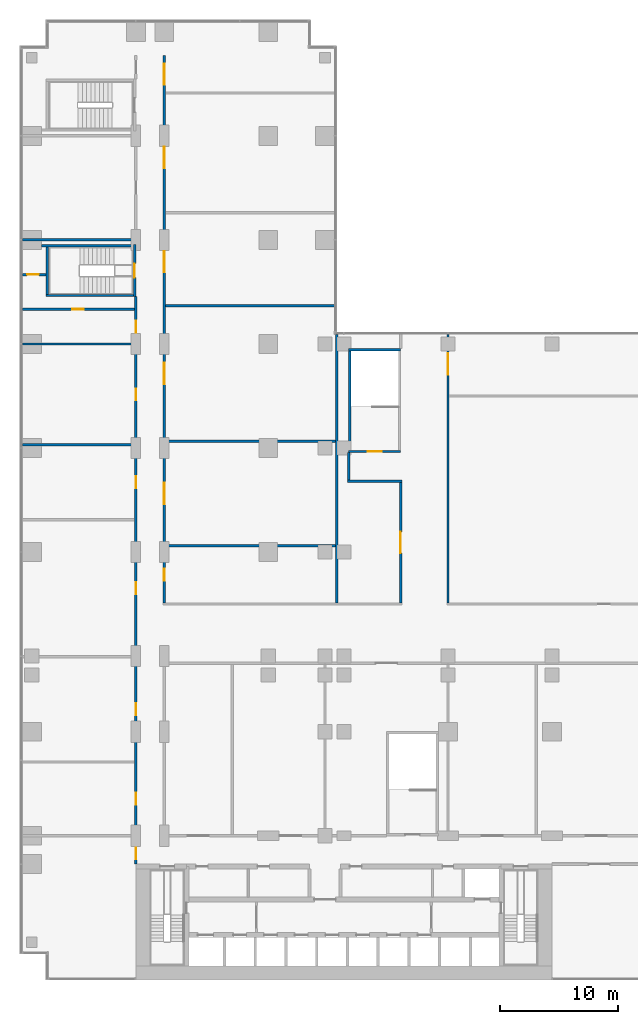
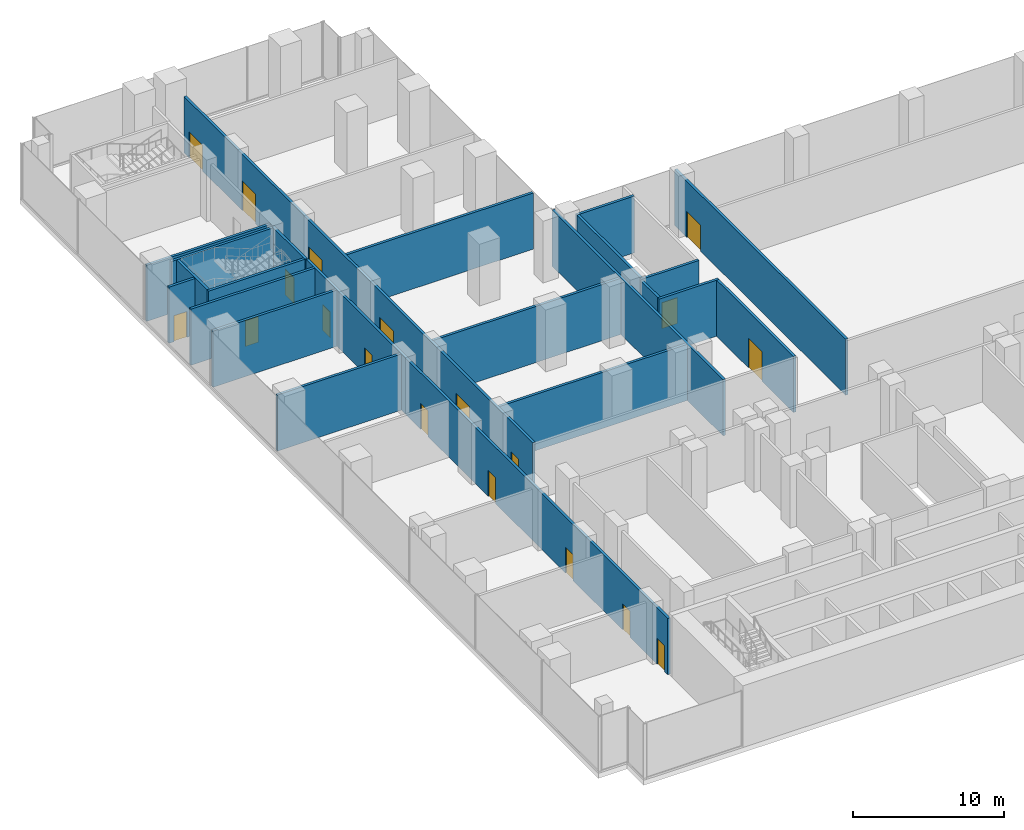
# One storey, part 20 of 27: 22 walls, 19 doors, 19 openings.
"""IFC4 building model written with IfcOpenShell, lengths in metres."""

from ifc_helpers import new_model, si_unit, direction, frame, frame_2d, origin, place, context, subcontext, project, spatial, rectangle, extrude, material, layer, layer_set, type_object, element, fill, save


model = new_model("IFC4")

# Units and contexts
model_context = context("Model", 3, precision=1e-05, world=origin(), true_north=direction((0.0, 1.0)))
body_context = subcontext(model_context, "Body", "Model", "MODEL_VIEW")
ifc_project = project(units=[si_unit("LENGTHUNIT", "METRE"), si_unit("AREAUNIT", "SQUARE_METRE"), si_unit("VOLUMEUNIT", "CUBIC_METRE"), si_unit("PLANEANGLEUNIT", "RADIAN"), si_unit("MASSUNIT", "GRAM", prefix="KILO")], contexts=[model_context])

# Site, building, storey
site_placement = place(None, origin())
site = spatial("IfcSite", under=ifc_project, at=site_placement, CompositionType="ELEMENT")
building_placement = place(site_placement, origin())
building = spatial("IfcBuilding", under=site, at=building_placement, Name="Kemantara Hotel Tower", CompositionType="ELEMENT")
storey_placement = place(building_placement, frame((0.0, 0.0, 29.0)))
storey = spatial("IfcBuildingStorey", under=building, at=storey_placement, Name="L05", CompositionType="ELEMENT", Elevation=29.0)

# Wall, opening, door
ifc_material_1 = material(Name="Concrete fc 40 MPa", Category="concrete")
ifc_layer_1 = layer(ifc_material_1, 0.199951171875)
ifc_layer_set_1 = layer_set([ifc_layer_1], Name="Concrete fc 40 MPa")
wall_type_1 = type_object("IfcWallType", Name="Concrete stair wall 200 mm", PredefinedType="SHEAR", material=ifc_layer_set_1)
wall_1_placement = place(storey_placement, frame((9.699951171875, 57.800048828125, 0.0), z_axis=(0.0, 0.0, 1.0), x_axis=(0.0, 1.0, 0.0)))
wall_1 = element("IfcWall", 1, at=wall_1_placement, inside=storey, type_object=wall_type_1, Name="Stair ST4 enclosure wall with door", PredefinedType="SHEAR", context=body_context, shape_type="SweptSolid", body=[
    extrude(rectangle(XDim=4.39990234375, YDim=0.199951171875, at=frame_2d((2.199951171875, 0.0))), origin(), (0.0, 0.0, 1.0), 4.60009765625),
])
opening_1_placement = place(wall_1_placement, frame((1.60009765625, 0.0, 0.0)))
opening_1 = element("IfcOpeningElement", 2, at=opening_1_placement, cuts=wall_1, Name="Opening ST4-C", PredefinedType="OPENING", context=body_context, shape_type="SweptSolid", body=[
    extrude(rectangle(XDim=1.199951171875, YDim=2.10009765625, at=frame_2d((0.60009765625, 1.050048828125))), frame((0.0, 0.10986328125, 0.0), z_axis=(0.0, -1.0, 0.0), x_axis=(1.0, 0.0, 0.0)), (0.0, 0.0, 1.0), 0.219970703125),
])
ifc_material_2 = material(Name="Steel fire door", Category="steel")
door_type_1 = type_object("IfcDoorType", Name="Fire door FD90 1200 x 2100", OperationType="NOTDEFINED", PredefinedType="DOOR", material=ifc_material_2)
door_1_placement = place(opening_1_placement, origin())
door_1 = element("IfcDoor", 3, at=door_1_placement, inside=storey, type_object=door_type_1, Name="Stair ST4 door", OperationType="SINGLE_SWING_RIGHT", OverallHeight=2.10009765625, OverallWidth=1.199951171875, PredefinedType="DOOR", context=body_context, shape_type="SweptSolid", body=[
    extrude(rectangle(XDim=1.199951171875, YDim=2.10009765625, at=frame_2d((0.60009765625, 1.050048828125))), frame((0.0, 0.02490234375, 0.0), z_axis=(0.0, -1.0, 0.0), x_axis=(1.0, 0.0, 0.0)), (0.0, 0.0, 1.0), 0.050048828125),
])
fill(opening_1, door_1)

# Walls
wall_2_placement = place(storey_placement, frame((1.800048828125, 62.10009765625, 0.0), z_axis=(0.0, 0.0, 1.0), x_axis=(1.0, 0.0, 0.0)))
element("IfcWall", 4, at=wall_2_placement, inside=storey, type_object=wall_type_1, Name="Stair ST4 enclosure wall N", PredefinedType="SHEAR", context=body_context, shape_type="SweptSolid", body=[
    extrude(rectangle(XDim=7.800048828125, YDim=0.199951171875, at=frame_2d((3.89990234375, 0.0))), origin(), (0.0, 0.0, 1.0), 4.60009765625),
])
wall_3_placement = place(storey_placement, frame((2.199951171875, 57.89990234375, 0.0), z_axis=(0.0, 0.0, 1.0), x_axis=(1.0, 0.0, 0.0)))
element("IfcWall", 5, at=wall_3_placement, inside=storey, type_object=wall_type_1, Name="Stair ST4 enclosure wall S", PredefinedType="SHEAR", context=body_context, shape_type="SweptSolid", body=[
    extrude(rectangle(XDim=7.400146484375, YDim=0.199951171875, at=frame_2d((3.7001953125, 0.0))), origin(), (0.0, 0.0, 1.0), 4.60009765625),
])
wall_4_placement = place(storey_placement, frame((2.300048828125, 58.0, 0.0), z_axis=(0.0, 0.0, 1.0), x_axis=(0.0, 1.0, 0.0)))
element("IfcWall", 6, at=wall_4_placement, inside=storey, type_object=wall_type_1, Name="Stair ST4 enclosure wall W", PredefinedType="SHEAR", context=body_context, shape_type="SweptSolid", body=[
    extrude(rectangle(XDim=4.0, YDim=0.199951171875, at=frame_2d((2.0, 0.0))), origin(), (0.0, 0.0, 1.0), 4.60009765625),
])

# Wall, opening, door
wall_5_placement = place(storey_placement, frame((27.800048828125, 44.699951171875, 0.0), z_axis=(0.0, 0.0, 1.0), x_axis=(1.0, 0.0, 0.0)))
wall_5 = element("IfcWall", 7, at=wall_5_placement, inside=storey, type_object=wall_type_1, Name="Stair PS2 enclosure wall with door", PredefinedType="SHEAR", context=body_context, shape_type="SweptSolid", body=[
    extrude(rectangle(XDim=4.39990234375, YDim=0.199951171875, at=frame_2d((2.199951171875, 0.0))), origin(), (0.0, 0.0, 1.0), 4.60009765625),
])
opening_2_placement = place(wall_5_placement, frame((1.60009765625, 0.0, 0.0)))
opening_2 = element("IfcOpeningElement", 8, at=opening_2_placement, cuts=wall_5, Name="Opening PS2-C", PredefinedType="OPENING", context=body_context, shape_type="SweptSolid", body=[
    extrude(rectangle(XDim=1.199951171875, YDim=2.10009765625, at=frame_2d((0.60009765625, 1.050048828125))), frame((0.0, 0.10986328125, 0.0), z_axis=(0.0, -1.0, 0.0), x_axis=(1.0, 0.0, 0.0)), (0.0, 0.0, 1.0), 0.219970703125),
])
door_2_placement = place(opening_2_placement, origin())
door_2 = element("IfcDoor", 9, at=door_2_placement, inside=storey, type_object=door_type_1, Name="Stair PS2 door", OperationType="SINGLE_SWING_LEFT", OverallHeight=2.10009765625, OverallWidth=1.199951171875, PredefinedType="DOOR", context=body_context, shape_type="SweptSolid", body=[
    extrude(rectangle(XDim=1.199951171875, YDim=2.10009765625, at=frame_2d((0.60009765625, 1.050048828125))), frame((0.0, 0.02490234375, 0.0), z_axis=(0.0, -1.0, 0.0), x_axis=(1.0, 0.0, 0.0)), (0.0, 0.0, 1.0), 0.050048828125),
])
fill(opening_2, door_2)

# Walls
wall_6_placement = place(storey_placement, frame((27.800048828125, 53.300048828125, 0.0), z_axis=(0.0, 0.0, 1.0), x_axis=(1.0, 0.0, 0.0)))
element("IfcWall", 10, at=wall_6_placement, inside=storey, type_object=wall_type_1, Name="Stair PS2 enclosure wall N", PredefinedType="SHEAR", context=body_context, shape_type="SweptSolid", body=[
    extrude(rectangle(XDim=4.39990234375, YDim=0.199951171875, at=frame_2d((2.199951171875, 0.0))), origin(), (0.0, 0.0, 1.0), 4.60009765625),
])
wall_7_placement = place(storey_placement, frame((27.89990234375, 44.800048828125, 0.0), z_axis=(0.0, 0.0, 1.0), x_axis=(0.0, 1.0, 0.0)))
element("IfcWall", 11, at=wall_7_placement, inside=storey, type_object=wall_type_1, Name="Stair PS2 enclosure wall W", PredefinedType="SHEAR", context=body_context, shape_type="SweptSolid", body=[
    extrude(rectangle(XDim=8.39990234375, YDim=0.199951171875, at=frame_2d((4.199951171875, 0.0))), origin(), (0.0, 0.0, 1.0), 4.60009765625),
])

# Wall, openings, doors
ifc_material_3 = material(Name="Fire-rated gypsum board partition")
ifc_layer_2 = layer(ifc_material_3, 0.199951171875)
ifc_layer_set_2 = layer_set([ifc_layer_2], Name="Fire-rated gypsum board partition")
wall_type_2 = type_object("IfcWallType", Name="FIRE-RATED GYPSUM PARTITION 200 EI 60", PredefinedType="PARTITIONING", material=ifc_layer_set_2)
wall_8_placement = place(storey_placement, frame((9.800048828125, 9.800048828125, 0.0), z_axis=(0.0, 0.0, 1.0), x_axis=(0.0, 1.0, 0.0)))
wall_8 = element("IfcWall", 12, at=wall_8_placement, inside=storey, type_object=wall_type_2, Name="FIRE-RATED PARTITION", PredefinedType="PARTITIONING", context=body_context, shape_type="SweptSolid", body=[
    extrude(rectangle(XDim=48.0, YDim=0.199951171875, at=frame_2d((24.0, 0.0))), origin(), (0.0, 0.0, 1.0), 4.550048828125),
])
opening_3_placement = place(wall_8_placement, frame((5.02001953125, 0.0, 0.0)))
opening_3 = element("IfcOpeningElement", 13, at=opening_3_placement, cuts=wall_8, Name="Opening L05-B007", PredefinedType="OPENING", context=body_context, shape_type="SweptSolid", body=[
    extrude(rectangle(XDim=1.0, YDim=2.10009765625, at=frame_2d((0.5, 1.050048828125))), frame((0.0, 0.10986328125, 0.0), z_axis=(0.0, -1.0, 0.0), x_axis=(1.0, 0.0, 0.0)), (0.0, 0.0, 1.0), 0.219970703125),
])
opening_4_placement = place(wall_8_placement, frame((12.594970703125, 0.0, 0.0)))
opening_4 = element("IfcOpeningElement", 14, at=opening_4_placement, cuts=wall_8, Name="Opening L05-B008", PredefinedType="OPENING", context=body_context, shape_type="SweptSolid", body=[
    extrude(rectangle(XDim=1.0, YDim=2.10009765625, at=frame_2d((0.5, 1.050048828125))), frame((0.0, 0.10986328125, 0.0), z_axis=(0.0, -1.0, 0.0), x_axis=(1.0, 0.0, 0.0)), (0.0, 0.0, 1.0), 0.219970703125),
])
opening_5_placement = place(wall_8_placement, frame((22.844970703125, 0.0, 0.0)))
opening_5 = element("IfcOpeningElement", 15, at=opening_5_placement, cuts=wall_8, Name="Opening L05-B009", PredefinedType="OPENING", context=body_context, shape_type="SweptSolid", body=[
    extrude(rectangle(XDim=1.0, YDim=2.10009765625, at=frame_2d((0.5, 1.050048828125))), frame((0.0, 0.10986328125, 0.0), z_axis=(0.0, -1.0, 0.0), x_axis=(1.0, 0.0, 0.0)), (0.0, 0.0, 1.0), 0.219970703125),
])
opening_6_placement = place(wall_8_placement, frame((31.800048828125, 0.0, 0.0)))
opening_6 = element("IfcOpeningElement", 16, at=opening_6_placement, cuts=wall_8, Name="Opening L05-B010", PredefinedType="OPENING", context=body_context, shape_type="SweptSolid", body=[
    extrude(rectangle(XDim=1.0, YDim=2.10009765625, at=frame_2d((0.5, 1.050048828125))), frame((0.0, 0.10986328125, 0.0), z_axis=(0.0, -1.0, 0.0), x_axis=(1.0, 0.0, 0.0)), (0.0, 0.0, 1.0), 0.219970703125),
])
opening_7_placement = place(wall_8_placement, frame((39.22998046875, 0.0, 0.0)))
opening_7 = element("IfcOpeningElement", 17, at=opening_7_placement, cuts=wall_8, Name="Opening L05-B011", PredefinedType="OPENING", context=body_context, shape_type="SweptSolid", body=[
    extrude(rectangle(XDim=1.0, YDim=2.10009765625, at=frame_2d((0.5, 1.050048828125))), frame((0.0, 0.10986328125, 0.0), z_axis=(0.0, -1.0, 0.0), x_axis=(1.0, 0.0, 0.0)), (0.0, 0.0, 1.0), 0.219970703125),
])
opening_8_placement = place(wall_8_placement, frame((44.966796875, 0.0, 0.0)))
opening_8 = element("IfcOpeningElement", 18, at=opening_8_placement, cuts=wall_8, Name="Opening L05-B012", PredefinedType="OPENING", context=body_context, shape_type="SweptSolid", body=[
    extrude(rectangle(XDim=1.0, YDim=2.10009765625, at=frame_2d((0.5, 1.050048828125))), frame((0.0, 0.10986328125, 0.0), z_axis=(0.0, -1.0, 0.0), x_axis=(1.0, 0.0, 0.0)), (0.0, 0.0, 1.0), 0.219970703125),
])
opening_9_placement = place(wall_8_placement, frame((0.39990234375, 0.0, 0.0)))
opening_9 = element("IfcOpeningElement", 19, at=opening_9_placement, cuts=wall_8, Name="Opening L05-B021", PredefinedType="OPENING", context=body_context, shape_type="SweptSolid", body=[
    extrude(rectangle(XDim=1.0, YDim=2.10009765625, at=frame_2d((0.5, 1.050048828125))), frame((0.0, 0.10986328125, 0.0), z_axis=(0.0, -1.0, 0.0), x_axis=(1.0, 0.0, 0.0)), (0.0, 0.0, 1.0), 0.219970703125),
])
ifc_material_4 = material(Name="Galvanised steel door leaf", Category="steel")
door_type_2 = type_object("IfcDoorType", Name="FIRE-RATED STEEL DOOR 1000 X 2100", OperationType="SINGLE_SWING_LEFT", PredefinedType="DOOR", material=ifc_material_4)
door_3_placement = place(opening_9_placement, frame((1.0, 0.0, 0.0), z_axis=(0.0, 0.0, 1.0), x_axis=(-1.0, 0.0, 0.0)))
door_3 = element("IfcDoor", 20, at=door_3_placement, inside=storey, type_object=door_type_2, Name="FIRE-RATED STEEL DOOR", OperationType="SINGLE_SWING_RIGHT", OverallHeight=2.10009765625, OverallWidth=1.0, PredefinedType="DOOR", context=body_context, shape_type="SweptSolid", body=[
    extrude(rectangle(XDim=1.0, YDim=2.10009765625, at=frame_2d((0.5, 1.050048828125))), frame((0.0, 0.02490234375, 0.0), z_axis=(0.0, -1.0, 0.0), x_axis=(1.0, 0.0, 0.0)), (0.0, 0.0, 1.0), 0.050048828125),
])
fill(opening_9, door_3)
ifc_material_5 = material(Name="Timber veneer door leaf", Category="wood")
door_type_3 = type_object("IfcDoorType", Name="SINGLE LEAF TIMBER DOOR 1000 X 2100", OperationType="SINGLE_SWING_LEFT", PredefinedType="DOOR", material=ifc_material_5)
door_4_placement = place(opening_3_placement, origin())
door_4 = element("IfcDoor", 21, at=door_4_placement, inside=storey, type_object=door_type_3, Name="SINGLE LEAF TIMBER DOOR", OperationType="SINGLE_SWING_LEFT", OverallHeight=2.10009765625, OverallWidth=1.0, PredefinedType="DOOR", context=body_context, shape_type="SweptSolid", body=[
    extrude(rectangle(XDim=1.0, YDim=2.10009765625, at=frame_2d((0.5, 1.050048828125))), frame((0.0, 0.02490234375, 0.0), z_axis=(0.0, -1.0, 0.0), x_axis=(1.0, 0.0, 0.0)), (0.0, 0.0, 1.0), 0.050048828125),
])
fill(opening_3, door_4)
door_5_placement = place(opening_4_placement, origin())
door_5 = element("IfcDoor", 22, at=door_5_placement, inside=storey, type_object=door_type_3, Name="SINGLE LEAF TIMBER DOOR", OperationType="SINGLE_SWING_LEFT", OverallHeight=2.10009765625, OverallWidth=1.0, PredefinedType="DOOR", context=body_context, shape_type="SweptSolid", body=[
    extrude(rectangle(XDim=1.0, YDim=2.10009765625, at=frame_2d((0.5, 1.050048828125))), frame((0.0, 0.02490234375, 0.0), z_axis=(0.0, -1.0, 0.0), x_axis=(1.0, 0.0, 0.0)), (0.0, 0.0, 1.0), 0.050048828125),
])
fill(opening_4, door_5)
door_6_placement = place(opening_5_placement, origin())
door_6 = element("IfcDoor", 23, at=door_6_placement, inside=storey, type_object=door_type_3, Name="SINGLE LEAF TIMBER DOOR", OperationType="SINGLE_SWING_LEFT", OverallHeight=2.10009765625, OverallWidth=1.0, PredefinedType="DOOR", context=body_context, shape_type="SweptSolid", body=[
    extrude(rectangle(XDim=1.0, YDim=2.10009765625, at=frame_2d((0.5, 1.050048828125))), frame((0.0, 0.02490234375, 0.0), z_axis=(0.0, -1.0, 0.0), x_axis=(1.0, 0.0, 0.0)), (0.0, 0.0, 1.0), 0.050048828125),
])
fill(opening_5, door_6)
door_7_placement = place(opening_6_placement, origin())
door_7 = element("IfcDoor", 24, at=door_7_placement, inside=storey, type_object=door_type_3, Name="SINGLE LEAF TIMBER DOOR", OperationType="SINGLE_SWING_RIGHT", OverallHeight=2.10009765625, OverallWidth=1.0, PredefinedType="DOOR", context=body_context, shape_type="SweptSolid", body=[
    extrude(rectangle(XDim=1.0, YDim=2.10009765625, at=frame_2d((0.5, 1.050048828125))), frame((0.0, 0.02490234375, 0.0), z_axis=(0.0, -1.0, 0.0), x_axis=(1.0, 0.0, 0.0)), (0.0, 0.0, 1.0), 0.050048828125),
])
fill(opening_6, door_7)
door_8_placement = place(opening_7_placement, origin())
door_8 = element("IfcDoor", 25, at=door_8_placement, inside=storey, type_object=door_type_3, Name="SINGLE LEAF TIMBER DOOR", OperationType="SINGLE_SWING_RIGHT", OverallHeight=2.10009765625, OverallWidth=1.0, PredefinedType="DOOR", context=body_context, shape_type="SweptSolid", body=[
    extrude(rectangle(XDim=1.0, YDim=2.10009765625, at=frame_2d((0.5, 1.050048828125))), frame((0.0, 0.02490234375, 0.0), z_axis=(0.0, -1.0, 0.0), x_axis=(1.0, 0.0, 0.0)), (0.0, 0.0, 1.0), 0.050048828125),
])
fill(opening_7, door_8)
door_9_placement = place(opening_8_placement, origin())
door_9 = element("IfcDoor", 26, at=door_9_placement, inside=storey, type_object=door_type_3, Name="SINGLE LEAF TIMBER DOOR", OperationType="SINGLE_SWING_RIGHT", OverallHeight=2.10009765625, OverallWidth=1.0, PredefinedType="DOOR", context=body_context, shape_type="SweptSolid", body=[
    extrude(rectangle(XDim=1.0, YDim=2.10009765625, at=frame_2d((0.5, 1.050048828125))), frame((0.0, 0.02490234375, 0.0), z_axis=(0.0, -1.0, 0.0), x_axis=(1.0, 0.0, 0.0)), (0.0, 0.0, 1.0), 0.050048828125),
])
fill(opening_8, door_9)

wall_9_placement = place(storey_placement, frame((12.199951171875, 31.89990234375, 0.0), z_axis=(0.0, 0.0, 1.0), x_axis=(0.0, 1.0, 0.0)))
wall_9 = element("IfcWall", 27, at=wall_9_placement, inside=storey, type_object=wall_type_2, Name="FIRE-RATED PARTITION", PredefinedType="PARTITIONING", context=body_context, shape_type="SweptSolid", body=[
    extrude(rectangle(XDim=46.300048828125, YDim=0.199951171875, at=frame_2d((23.14990234375, 0.0))), origin(), (0.0, 0.0, 1.0), 4.550048828125),
])
opening_10_placement = place(wall_9_placement, frame((1.8701171875, 0.0, 0.0)))
opening_10 = element("IfcOpeningElement", 28, at=opening_10_placement, cuts=wall_9, Name="Opening L05-B015", PredefinedType="OPENING", context=body_context, shape_type="SweptSolid", body=[
    extrude(rectangle(XDim=1.0, YDim=2.10009765625, at=frame_2d((0.5, 1.050048828125))), frame((0.0, 0.10986328125, 0.0), z_axis=(0.0, -1.0, 0.0), x_axis=(1.0, 0.0, 0.0)), (0.0, 0.0, 1.0), 0.219970703125),
])
opening_11_placement = place(wall_9_placement, frame((8.35009765625, 0.0, 0.0)))
opening_11 = element("IfcOpeningElement", 29, at=opening_11_placement, cuts=wall_9, Name="Opening L05-B016", PredefinedType="OPENING", context=body_context, shape_type="SweptSolid", body=[
    extrude(rectangle(XDim=1.800048828125, YDim=2.39990234375, at=frame_2d((0.89990234375, 1.199951171875))), frame((0.0, 0.10986328125, 0.0), z_axis=(0.0, -1.0, 0.0), x_axis=(1.0, 0.0, 0.0)), (0.0, 0.0, 1.0), 0.219970703125),
])
opening_12_placement = place(wall_9_placement, frame((18.489990234375, 0.0, 0.0)))
opening_12 = element("IfcOpeningElement", 30, at=opening_12_placement, cuts=wall_9, Name="Opening L05-B017", PredefinedType="OPENING", context=body_context, shape_type="SweptSolid", body=[
    extrude(rectangle(XDim=1.800048828125, YDim=2.39990234375, at=frame_2d((0.89990234375, 1.199951171875))), frame((0.0, 0.10986328125, 0.0), z_axis=(0.0, -1.0, 0.0), x_axis=(1.0, 0.0, 0.0)), (0.0, 0.0, 1.0), 0.219970703125),
])
opening_13_placement = place(wall_9_placement, frame((27.955078125, 0.0, 0.0)))
opening_13 = element("IfcOpeningElement", 31, at=opening_13_placement, cuts=wall_9, Name="Opening L05-B018", PredefinedType="OPENING", context=body_context, shape_type="SweptSolid", body=[
    extrude(rectangle(XDim=1.800048828125, YDim=2.39990234375, at=frame_2d((0.89990234375, 1.199951171875))), frame((0.0, 0.10986328125, 0.0), z_axis=(0.0, -1.0, 0.0), x_axis=(1.0, 0.0, 0.0)), (0.0, 0.0, 1.0), 0.219970703125),
])
opening_14_placement = place(wall_9_placement, frame((36.760009765625, 0.0, 0.0)))
opening_14 = element("IfcOpeningElement", 32, at=opening_14_placement, cuts=wall_9, Name="Opening L05-B019", PredefinedType="OPENING", context=body_context, shape_type="SweptSolid", body=[
    extrude(rectangle(XDim=1.800048828125, YDim=2.39990234375, at=frame_2d((0.89990234375, 1.199951171875))), frame((0.0, 0.10986328125, 0.0), z_axis=(0.0, -1.0, 0.0), x_axis=(1.0, 0.0, 0.0)), (0.0, 0.0, 1.0), 0.219970703125),
])
opening_15_placement = place(wall_9_placement, frame((43.81494140625, 0.0, 0.0)))
opening_15 = element("IfcOpeningElement", 33, at=opening_15_placement, cuts=wall_9, Name="Opening L05-B020", PredefinedType="OPENING", context=body_context, shape_type="SweptSolid", body=[
    extrude(rectangle(XDim=1.800048828125, YDim=2.10009765625, at=frame_2d((0.89990234375, 1.050048828125))), frame((0.0, 0.10986328125, 0.0), z_axis=(0.0, -1.0, 0.0), x_axis=(1.0, 0.0, 0.0)), (0.0, 0.0, 1.0), 0.219970703125),
])
door_type_4 = type_object("IfcDoorType", Name="DOUBLE LEAF TIMBER DOOR 1800 X 2100", OperationType="DOUBLE_DOOR_SINGLE_SWING", PredefinedType="DOOR", material=ifc_material_5)
door_10_placement = place(opening_15_placement, origin())
door_10 = element("IfcDoor", 34, at=door_10_placement, inside=storey, type_object=door_type_4, Name="DOUBLE LEAF TIMBER DOOR", OperationType="DOUBLE_DOOR_SINGLE_SWING", OverallHeight=2.10009765625, OverallWidth=1.800048828125, PredefinedType="DOOR", context=body_context, shape_type="SweptSolid", body=[
    extrude(rectangle(XDim=1.800048828125, YDim=2.10009765625, at=frame_2d((0.89990234375, 1.050048828125))), frame((0.0, 0.02490234375, 0.0), z_axis=(0.0, -1.0, 0.0), x_axis=(1.0, 0.0, 0.0)), (0.0, 0.0, 1.0), 0.050048828125),
])
fill(opening_15, door_10)
ifc_material_6 = material(Name="Toughened glass door leaf", Category="glass")
door_type_5 = type_object("IfcDoorType", Name="GLAZED DOUBLE DOOR 1800 X 2400", OperationType="DOUBLE_DOOR_SINGLE_SWING", PredefinedType="DOOR", material=ifc_material_6)
door_11_placement = place(opening_11_placement, origin())
door_11 = element("IfcDoor", 35, at=door_11_placement, inside=storey, type_object=door_type_5, Name="GLAZED DOUBLE DOOR", OperationType="DOUBLE_DOOR_SINGLE_SWING", OverallHeight=2.39990234375, OverallWidth=1.800048828125, PredefinedType="DOOR", context=body_context, shape_type="SweptSolid", body=[
    extrude(rectangle(XDim=1.800048828125, YDim=2.39990234375, at=frame_2d((0.89990234375, 1.199951171875))), frame((0.0, 0.02490234375, 0.0), z_axis=(0.0, -1.0, 0.0), x_axis=(1.0, 0.0, 0.0)), (0.0, 0.0, 1.0), 0.050048828125),
])
fill(opening_11, door_11)
door_12_placement = place(opening_12_placement, origin())
door_12 = element("IfcDoor", 36, at=door_12_placement, inside=storey, type_object=door_type_5, Name="GLAZED DOUBLE DOOR", OperationType="DOUBLE_DOOR_SINGLE_SWING", OverallHeight=2.39990234375, OverallWidth=1.800048828125, PredefinedType="DOOR", context=body_context, shape_type="SweptSolid", body=[
    extrude(rectangle(XDim=1.800048828125, YDim=2.39990234375, at=frame_2d((0.89990234375, 1.199951171875))), frame((0.0, 0.02490234375, 0.0), z_axis=(0.0, -1.0, 0.0), x_axis=(1.0, 0.0, 0.0)), (0.0, 0.0, 1.0), 0.050048828125),
])
fill(opening_12, door_12)
door_13_placement = place(opening_13_placement, origin())
door_13 = element("IfcDoor", 37, at=door_13_placement, inside=storey, type_object=door_type_5, Name="GLAZED DOUBLE DOOR", OperationType="DOUBLE_DOOR_SINGLE_SWING", OverallHeight=2.39990234375, OverallWidth=1.800048828125, PredefinedType="DOOR", context=body_context, shape_type="SweptSolid", body=[
    extrude(rectangle(XDim=1.800048828125, YDim=2.39990234375, at=frame_2d((0.89990234375, 1.199951171875))), frame((0.0, 0.02490234375, 0.0), z_axis=(0.0, -1.0, 0.0), x_axis=(1.0, 0.0, 0.0)), (0.0, 0.0, 1.0), 0.050048828125),
])
fill(opening_13, door_13)
door_14_placement = place(opening_14_placement, origin())
door_14 = element("IfcDoor", 38, at=door_14_placement, inside=storey, type_object=door_type_5, Name="GLAZED DOUBLE DOOR", OperationType="DOUBLE_DOOR_SINGLE_SWING", OverallHeight=2.39990234375, OverallWidth=1.800048828125, PredefinedType="DOOR", context=body_context, shape_type="SweptSolid", body=[
    extrude(rectangle(XDim=1.800048828125, YDim=2.39990234375, at=frame_2d((0.89990234375, 1.199951171875))), frame((0.0, 0.02490234375, 0.0), z_axis=(0.0, -1.0, 0.0), x_axis=(1.0, 0.0, 0.0)), (0.0, 0.0, 1.0), 0.050048828125),
])
fill(opening_14, door_14)
door_15_placement = place(opening_10_placement, frame((1.0, 0.0, 0.0), z_axis=(0.0, 0.0, 1.0), x_axis=(-1.0, 0.0, 0.0)))
door_15 = element("IfcDoor", 39, at=door_15_placement, inside=storey, type_object=door_type_3, Name="SINGLE LEAF TIMBER DOOR", OperationType="SINGLE_SWING_RIGHT", OverallHeight=2.10009765625, OverallWidth=1.0, PredefinedType="DOOR", context=body_context, shape_type="SweptSolid", body=[
    extrude(rectangle(XDim=1.0, YDim=2.10009765625, at=frame_2d((0.5, 1.050048828125))), frame((0.0, 0.02490234375, 0.0), z_axis=(0.0, -1.0, 0.0), x_axis=(1.0, 0.0, 0.0)), (0.0, 0.0, 1.0), 0.050048828125),
])
fill(opening_10, door_15)

# Wall, opening, door
wall_10_placement = place(storey_placement, frame((36.199951171875, 31.89990234375, 0.0), z_axis=(0.0, 0.0, 1.0), x_axis=(0.0, 1.0, 0.0)))
wall_10 = element("IfcWall", 40, at=wall_10_placement, inside=storey, type_object=wall_type_2, Name="FIRE-RATED PARTITION", PredefinedType="PARTITIONING", context=body_context, shape_type="SweptSolid", body=[
    extrude(rectangle(XDim=22.7001953125, YDim=0.199951171875, at=frame_2d((11.35009765625, 0.0))), origin(), (0.0, 0.0, 1.0), 4.550048828125),
])
opening_16_placement = place(wall_10_placement, frame((19.300048828125, 0.0, 0.0)))
opening_16 = element("IfcOpeningElement", 41, at=opening_16_placement, cuts=wall_10, Name="Opening L05-B030", PredefinedType="OPENING", context=body_context, shape_type="SweptSolid", body=[
    extrude(rectangle(XDim=1.800048828125, YDim=2.10009765625, at=frame_2d((0.89990234375, 1.050048828125))), frame((0.0, 0.10986328125, 0.0), z_axis=(0.0, -1.0, 0.0), x_axis=(1.0, 0.0, 0.0)), (0.0, 0.0, 1.0), 0.219970703125),
])
door_16_placement = place(opening_16_placement, frame((1.800048828125, 0.0, 0.0), z_axis=(0.0, 0.0, 1.0), x_axis=(-1.0, 0.0, 0.0)))
door_16 = element("IfcDoor", 42, at=door_16_placement, inside=storey, type_object=door_type_4, Name="DOUBLE LEAF TIMBER DOOR", OperationType="DOUBLE_DOOR_SINGLE_SWING", OverallHeight=2.10009765625, OverallWidth=1.800048828125, PredefinedType="DOOR", context=body_context, shape_type="SweptSolid", body=[
    extrude(rectangle(XDim=1.800048828125, YDim=2.10009765625, at=frame_2d((0.89990234375, 1.050048828125))), frame((0.0, 0.02490234375, 0.0), z_axis=(0.0, -1.0, 0.0), x_axis=(1.0, 0.0, 0.0)), (0.0, 0.0, 1.0), 0.050048828125),
])
fill(opening_16, door_16)

# Walls
ifc_material_7 = material(Name="Gypsum board partition")
ifc_layer_3 = layer(ifc_material_7, 0.199951171875)
ifc_layer_set_3 = layer_set([ifc_layer_3], Name="Gypsum board partition")
wall_type_3 = type_object("IfcWallType", Name="GYPSUM BOARD PARTITION 200", PredefinedType="PARTITIONING", material=ifc_layer_set_3)
wall_11_placement = place(storey_placement, frame((27.699951171875, 42.199951171875, 0.0), z_axis=(0.0, 0.0, 1.0), x_axis=(1.0, 0.0, 0.0)))
element("IfcWall", 43, at=wall_11_placement, inside=storey, type_object=wall_type_3, Name="PARTITION", PredefinedType="PARTITIONING", context=body_context, shape_type="SweptSolid", body=[
    extrude(rectangle(XDim=4.60009765625, YDim=0.199951171875, at=frame_2d((2.300048828125, 0.0))), origin(), (0.0, 0.0, 1.0), 4.550048828125),
])
for number, where, z_axis, x_axis, name in (
    (44, (0.199951171875, 45.260009765625, 0.0), (0.0, 0.0, 1.0), (1.0, 0.0, 0.0), "PARTITION"),
    (45, (0.199951171875, 53.800048828125, 0.0), (0.0, 0.0, 1.0), (1.0, 0.0, 0.0), "PARTITION"),
):
    element("IfcWall", number, at=place(storey_placement, frame(where, z_axis=z_axis, x_axis=x_axis)), inside=storey, type_object=wall_type_3, Name=name, PredefinedType="PARTITIONING", context=body_context, shape_type="SweptSolid", body=[
        extrude(rectangle(XDim=9.5, YDim=0.199951171875, at=frame_2d((4.75, 0.0))), origin(), (0.0, 0.0, 1.0), 4.550048828125),
    ])

# Wall, opening, door
wall_12_placement = place(storey_placement, frame((0.199951171875, 56.73291015625, 0.0), z_axis=(0.0, 0.0, 1.0), x_axis=(1.0, 0.0, 0.0)))
wall_12 = element("IfcWall", 46, at=wall_12_placement, inside=storey, type_object=wall_type_3, Name="PARTITION", PredefinedType="PARTITIONING", context=body_context, shape_type="SweptSolid", body=[
    extrude(rectangle(XDim=9.5, YDim=0.199951171875, at=frame_2d((4.75, 0.0))), origin(), (0.0, 0.0, 1.0), 4.550048828125),
])
opening_17_placement = place(wall_12_placement, frame((4.199951171875, 0.0, 0.0)))
opening_17 = element("IfcOpeningElement", 47, at=opening_17_placement, cuts=wall_12, Name="Opening L05-B001", PredefinedType="OPENING", context=body_context, shape_type="SweptSolid", body=[
    extrude(rectangle(XDim=1.0, YDim=2.10009765625, at=frame_2d((0.5, 1.050048828125))), frame((0.0, 0.10986328125, 0.0), z_axis=(0.0, -1.0, 0.0), x_axis=(1.0, 0.0, 0.0)), (0.0, 0.0, 1.0), 0.219970703125),
])
door_17_placement = place(opening_17_placement, origin())
door_17 = element("IfcDoor", 48, at=door_17_placement, inside=storey, type_object=door_type_3, Name="SINGLE LEAF TIMBER DOOR", OperationType="SINGLE_SWING_LEFT", OverallHeight=2.10009765625, OverallWidth=1.0, PredefinedType="DOOR", context=body_context, shape_type="SweptSolid", body=[
    extrude(rectangle(XDim=1.0, YDim=2.10009765625, at=frame_2d((0.5, 1.050048828125))), frame((0.0, 0.02490234375, 0.0), z_axis=(0.0, -1.0, 0.0), x_axis=(1.0, 0.0, 0.0)), (0.0, 0.0, 1.0), 0.050048828125),
])
fill(opening_17, door_17)

wall_13_placement = place(storey_placement, frame((0.199951171875, 59.6669921875, 0.0), z_axis=(0.0, 0.0, 1.0), x_axis=(1.0, 0.0, 0.0)))
wall_13 = element("IfcWall", 49, at=wall_13_placement, inside=storey, type_object=wall_type_3, Name="PARTITION", PredefinedType="PARTITIONING", context=body_context, shape_type="SweptSolid", body=[
    extrude(rectangle(XDim=2.0, YDim=0.199951171875, at=frame_2d((1.0, 0.0))), origin(), (0.0, 0.0, 1.0), 4.550048828125),
])
opening_18_placement = place(wall_13_placement, frame((0.39990234375, 0.0, 0.0)))
opening_18 = element("IfcOpeningElement", 50, at=opening_18_placement, cuts=wall_13, Name="Opening L05-B002", PredefinedType="OPENING", context=body_context, shape_type="SweptSolid", body=[
    extrude(rectangle(XDim=1.0, YDim=2.10009765625, at=frame_2d((0.5, 1.050048828125))), frame((0.0, 0.10986328125, 0.0), z_axis=(0.0, -1.0, 0.0), x_axis=(1.0, 0.0, 0.0)), (0.0, 0.0, 1.0), 0.219970703125),
])
door_18_placement = place(opening_18_placement, origin())
door_18 = element("IfcDoor", 51, at=door_18_placement, inside=storey, type_object=door_type_3, Name="SINGLE LEAF TIMBER DOOR", OperationType="SINGLE_SWING_LEFT", OverallHeight=2.10009765625, OverallWidth=1.0, PredefinedType="DOOR", context=body_context, shape_type="SweptSolid", body=[
    extrude(rectangle(XDim=1.0, YDim=2.10009765625, at=frame_2d((0.5, 1.050048828125))), frame((0.0, 0.02490234375, 0.0), z_axis=(0.0, -1.0, 0.0), x_axis=(1.0, 0.0, 0.0)), (0.0, 0.0, 1.0), 0.050048828125),
])
fill(opening_18, door_18)

# Walls
wall_14_placement = place(storey_placement, frame((0.199951171875, 62.60009765625, 0.0), z_axis=(0.0, 0.0, 1.0), x_axis=(1.0, 0.0, 0.0)))
element("IfcWall", 52, at=wall_14_placement, inside=storey, type_object=wall_type_3, Name="PARTITION", PredefinedType="PARTITIONING", context=body_context, shape_type="SweptSolid", body=[
    extrude(rectangle(XDim=9.5, YDim=0.199951171875, at=frame_2d((4.75, 0.0))), origin(), (0.0, 0.0, 1.0), 4.550048828125),
])
for number, where, z_axis, x_axis, name in (
    (53, (12.300048828125, 36.739990234375, 0.0), (0.0, 0.0, 1.0), (1.0, 0.0, 0.0), "PARTITION"),
    (54, (12.300048828125, 45.56005859375, 0.0), (0.0, 0.0, 1.0), (1.0, 0.0, 0.0), "PARTITION"),
):
    element("IfcWall", number, at=place(storey_placement, frame(where, z_axis=z_axis, x_axis=x_axis)), inside=storey, type_object=wall_type_3, Name=name, PredefinedType="PARTITIONING", context=body_context, shape_type="SweptSolid", body=[
        extrude(rectangle(XDim=14.39990234375, YDim=0.199951171875, at=frame_2d((7.199951171875, 0.0))), origin(), (0.0, 0.0, 1.0), 4.550048828125),
    ])
wall_15_placement = place(storey_placement, frame((12.300048828125, 57.02001953125, 0.0), z_axis=(0.0, 0.0, 1.0), x_axis=(1.0, 0.0, 0.0)))
element("IfcWall", 55, at=wall_15_placement, inside=storey, type_object=wall_type_3, Name="PARTITION", PredefinedType="PARTITIONING", context=body_context, shape_type="SweptSolid", body=[
    extrude(rectangle(XDim=14.300048828125, YDim=0.199951171875, at=frame_2d((7.14990234375, 0.0))), origin(), (0.0, 0.0, 1.0), 4.550048828125),
])

# Wall, opening, door
wall_16_placement = place(storey_placement, frame((32.199951171875, 31.89990234375, 0.0), z_axis=(0.0, 0.0, 1.0), x_axis=(0.0, 1.0, 0.0)))
wall_16 = element("IfcWall", 56, at=wall_16_placement, inside=storey, type_object=wall_type_3, Name="PARTITION", PredefinedType="PARTITIONING", context=body_context, shape_type="SweptSolid", body=[
    extrude(rectangle(XDim=10.2001953125, YDim=0.199951171875, at=frame_2d((5.10009765625, 0.0))), origin(), (0.0, 0.0, 1.0), 4.550048828125),
])
opening_19_placement = place(wall_16_placement, frame((4.199951171875, 0.0, 0.0)))
opening_19 = element("IfcOpeningElement", 57, at=opening_19_placement, cuts=wall_16, Name="Opening L05-B031", PredefinedType="OPENING", context=body_context, shape_type="SweptSolid", body=[
    extrude(rectangle(XDim=1.800048828125, YDim=2.39990234375, at=frame_2d((0.89990234375, 1.199951171875))), frame((0.0, 0.10986328125, 0.0), z_axis=(0.0, -1.0, 0.0), x_axis=(1.0, 0.0, 0.0)), (0.0, 0.0, 1.0), 0.219970703125),
])
door_19_placement = place(opening_19_placement, frame((1.800048828125, 0.0, 0.0), z_axis=(0.0, 0.0, 1.0), x_axis=(-1.0, 0.0, 0.0)))
door_19 = element("IfcDoor", 58, at=door_19_placement, inside=storey, type_object=door_type_5, Name="GLAZED DOUBLE DOOR", OperationType="DOUBLE_DOOR_SINGLE_SWING", OverallHeight=2.39990234375, OverallWidth=1.800048828125, PredefinedType="DOOR", context=body_context, shape_type="SweptSolid", body=[
    extrude(rectangle(XDim=1.800048828125, YDim=2.39990234375, at=frame_2d((0.89990234375, 1.199951171875))), frame((0.0, 0.02490234375, 0.0), z_axis=(0.0, -1.0, 0.0), x_axis=(1.0, 0.0, 0.0)), (0.0, 0.0, 1.0), 0.050048828125),
])
fill(opening_19, door_19)

# Walls
wall_17_placement = place(storey_placement, frame((27.800048828125, 42.300048828125, 0.0), z_axis=(0.0, 0.0, 1.0), x_axis=(0.0, 1.0, 0.0)))
element("IfcWall", 59, at=wall_17_placement, inside=storey, type_object=wall_type_3, Name="PARTITION", PredefinedType="PARTITIONING", context=body_context, shape_type="SweptSolid", body=[
    extrude(rectangle(XDim=2.300048828125, YDim=0.199951171875, at=frame_2d((1.14990234375, 0.0))), origin(), (0.0, 0.0, 1.0), 4.550048828125),
])
wall_18_placement = place(storey_placement, frame((26.800048828125, 31.89990234375, 0.0), z_axis=(0.0, 0.0, 1.0), x_axis=(0.0, 1.0, 0.0)))
element("IfcWall", 60, at=wall_18_placement, inside=storey, type_object=wall_type_3, Name="PARTITION", PredefinedType="PARTITIONING", context=body_context, shape_type="SweptSolid", body=[
    extrude(rectangle(XDim=22.7001953125, YDim=0.199951171875, at=frame_2d((11.35009765625, 0.0))), origin(), (0.0, 0.0, 1.0), 4.550048828125),
])

save(model, "model.ifc")
